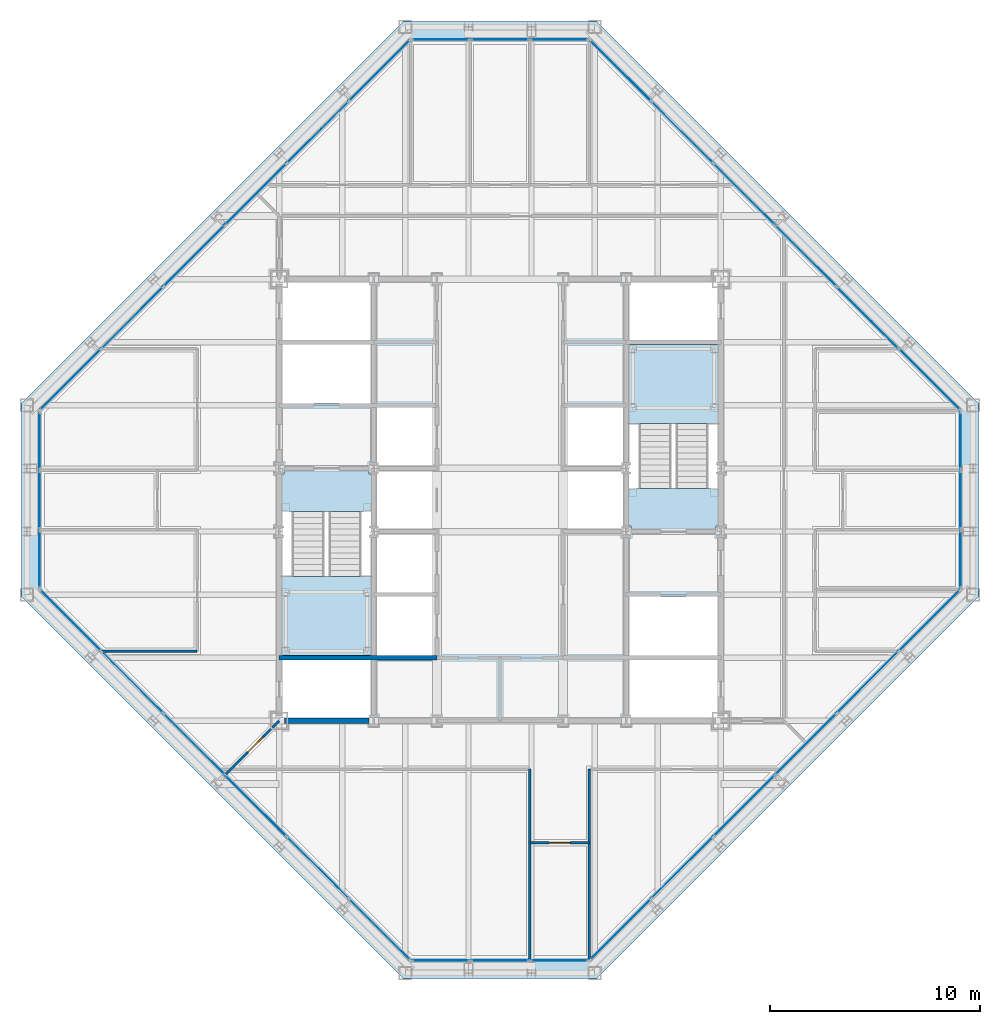
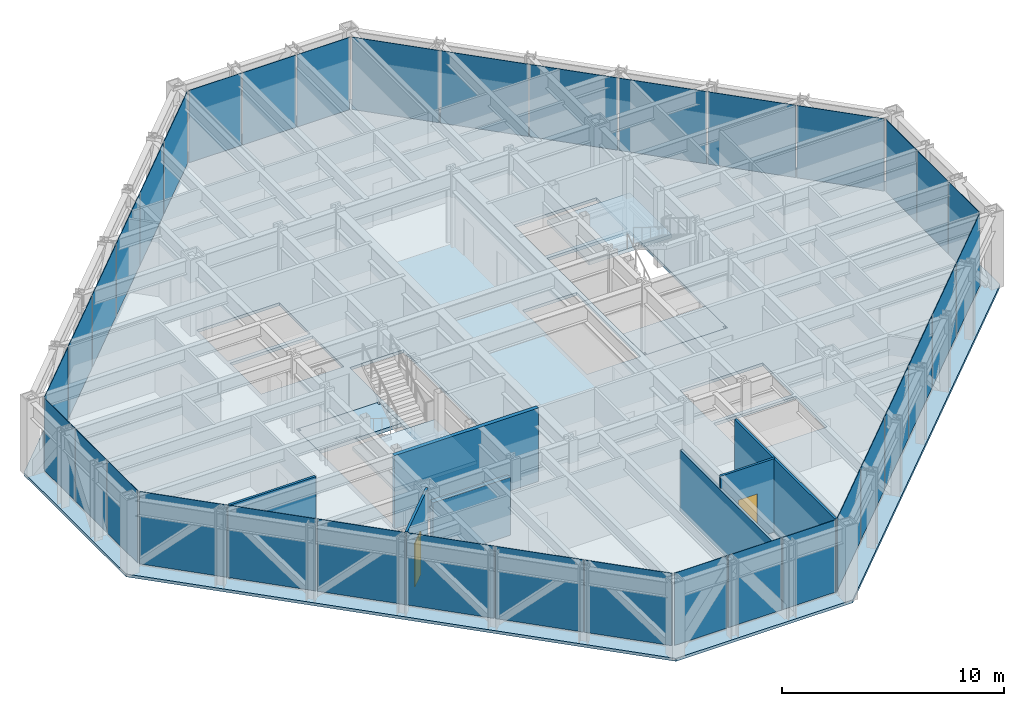
# One storey, part 9 of 15: 36 plates, 7 walls, 5 slabs, 2 doors, 2 openings, 10 elements without a shape of their own.
"""IFC4 building model written with IfcOpenShell, lengths in metres."""

from ifc_helpers import new_model, si_unit, direction, frame, frame_2d, origin, origin_2d, place, context, subcontext, project, spatial, polyline, rectangle, outline, extrude, material, layer, layer_set, type_object, element, fill, aggregate, save


model = new_model("IFC4")

# Units and contexts
model_context = context("Model", 3, precision=1e-05, world=origin(), true_north=direction((0.0, 1.0)))
body_context = subcontext(model_context, "Body", "Model", "MODEL_VIEW")
ifc_project = project(units=[si_unit("LENGTHUNIT", "METRE"), si_unit("AREAUNIT", "SQUARE_METRE"), si_unit("VOLUMEUNIT", "CUBIC_METRE"), si_unit("PLANEANGLEUNIT", "RADIAN"), si_unit("MASSUNIT", "GRAM", prefix="KILO")], contexts=[model_context])

# Site, building, storey
site_placement = place(None, origin())
site = spatial("IfcSite", under=ifc_project, at=site_placement, CompositionType="ELEMENT")
building_placement = place(site_placement, origin())
building = spatial("IfcBuilding", under=site, at=building_placement, Name="Chuquiago Exchange Tower", CompositionType="ELEMENT")
storey_placement = place(building_placement, frame((0.0, 0.0, 279.0)))
storey = spatial("IfcBuildingStorey", under=building, at=storey_placement, Name="L62", CompositionType="ELEMENT", Elevation=279.0)

# Curtain wall, plate
ifc_material_1 = material(Name="Aluminium curtain wall system", Category="aluminium")
ifc_layer_1 = layer(ifc_material_1, 0.22509765625)
ifc_layer_set_1 = layer_set([ifc_layer_1], Name="CW2 office curtain wall")
curtain_wall_type_1 = type_object("IfcCurtainWallType", Name="CW2 office curtain wall", PredefinedType="NOTDEFINED", material=ifc_layer_set_1)
curtain_wall_1_placement = place(storey_placement, origin())
curtain_wall_1 = element("IfcCurtainWall", 1, at=curtain_wall_1_placement, inside=storey, type_object=curtain_wall_type_1, Name="CW2 curtain wall L62", PredefinedType="NOTDEFINED")
ifc_material_2 = material(Name="Glass, insulating unit", Category="glass")
ifc_layer_2 = layer(ifc_material_2, 0.030029296875)
ifc_layer_set_2 = layer_set([ifc_layer_2], Name="CW2-P panel 30")
plate_type_1 = type_object("IfcPlateType", Name="CW2-P panel 30", PredefinedType="CURTAIN_PANEL", material=ifc_layer_set_2)
plate_1_placement = place(storey_placement, frame((25.318115234375, 0.60009765625, 0.06494140625), z_axis=(0.0, 0.0, 1.0), x_axis=(1.0, 0.0, 0.0)))
plate_1 = element("IfcPlate", 2, at=plate_1_placement, type_object=plate_type_1, Name="CW2 panel 3.1", PredefinedType="CURTAIN_PANEL", context=body_context, shape_type="SweptSolid", body=[
    extrude(rectangle(XDim=2.73681640625, YDim=0.030029296875, at=origin_2d()), origin(), (0.0, 0.0, 1.0), 3.97509765625),
])

curtain_wall_2_placement = place(storey_placement, origin())
curtain_wall_2 = element("IfcCurtainWall", 3, at=curtain_wall_2_placement, inside=storey, type_object=curtain_wall_type_1, Name="CW2 curtain wall L62", PredefinedType="NOTDEFINED")
plate_2_placement = place(storey_placement, frame((44.39990234375, 25.318115234375, 0.06494140625), z_axis=(0.0, 0.0, 1.0), x_axis=(0.0, 1.0, 0.0)))
plate_2 = element("IfcPlate", 4, at=plate_2_placement, type_object=plate_type_1, Name="CW2 panel 3.1", PredefinedType="CURTAIN_PANEL", context=body_context, shape_type="SweptSolid", body=[
    extrude(rectangle(XDim=2.73681640625, YDim=0.030029296875, at=origin_2d()), origin(), (0.0, 0.0, 1.0), 3.97509765625),
])

curtain_wall_3_placement = place(storey_placement, origin())
curtain_wall_3 = element("IfcCurtainWall", 5, at=curtain_wall_3_placement, inside=storey, type_object=curtain_wall_type_1, Name="CW2 curtain wall L62", PredefinedType="NOTDEFINED")
plate_3_placement = place(storey_placement, frame((19.681884765625, 44.39990234375, 0.06494140625), z_axis=(0.0, 0.0, 1.0), x_axis=(-1.0, 0.0, 0.0)))
plate_3 = element("IfcPlate", 6, at=plate_3_placement, type_object=plate_type_1, Name="CW2 panel 3.1", PredefinedType="CURTAIN_PANEL", context=body_context, shape_type="SweptSolid", body=[
    extrude(rectangle(XDim=2.73681640625, YDim=0.030029296875, at=origin_2d()), origin(), (0.0, 0.0, 1.0), 3.97509765625),
])

curtain_wall_4_placement = place(storey_placement, origin())
curtain_wall_4 = element("IfcCurtainWall", 7, at=curtain_wall_4_placement, inside=storey, type_object=curtain_wall_type_1, Name="CW2 curtain wall L62", PredefinedType="NOTDEFINED")
plate_4_placement = place(storey_placement, frame((0.60009765625, 19.681884765625, 0.06494140625), z_axis=(0.0, 0.0, 1.0), x_axis=(0.0, -1.0, 0.0)))
plate_4 = element("IfcPlate", 8, at=plate_4_placement, type_object=plate_type_1, Name="CW2 panel 3.1", PredefinedType="CURTAIN_PANEL", context=body_context, shape_type="SweptSolid", body=[
    extrude(rectangle(XDim=2.73681640625, YDim=0.030029296875, at=origin_2d()), origin(), (0.0, 0.0, 1.0), 3.97509765625),
])

# Plate
ifc_material_3 = material(Name="Insulated spandrel panel, pale anodised aluminium", Category="aluminium")
ifc_layer_3 = layer(ifc_material_3, 0.030029296875)
ifc_layer_set_3 = layer_set([ifc_layer_3], Name="CW2-P spandrel panel 30")
plate_type_2 = type_object("IfcPlateType", Name="CW2-P spandrel panel 30", PredefinedType="CURTAIN_PANEL", material=ifc_layer_set_3)
plate_5_placement = place(storey_placement, frame((19.681884765625, 0.60009765625, 0.06494140625), z_axis=(0.0, 0.0, 1.0), x_axis=(1.0, 0.0, 0.0)))
plate_5 = element("IfcPlate", 9, at=plate_5_placement, type_object=plate_type_2, Name="CW2 panel 1.1", PredefinedType="CURTAIN_PANEL", context=body_context, shape_type="SweptSolid", body=[
    extrude(rectangle(XDim=2.73681640625, YDim=0.030029296875, at=origin_2d()), origin(), (0.0, 0.0, 1.0), 3.97509765625),
])

plate_6_placement = place(storey_placement, frame((22.5, 0.60009765625, 0.06494140625), z_axis=(0.0, 0.0, 1.0), x_axis=(1.0, 0.0, 0.0)))
plate_6 = element("IfcPlate", 10, at=plate_6_placement, type_object=plate_type_2, Name="CW2 panel 2.1", PredefinedType="CURTAIN_PANEL", context=body_context, shape_type="SweptSolid", body=[
    extrude(rectangle(XDim=2.769287109375, YDim=0.030029296875, at=origin_2d()), origin(), (0.0, 0.0, 1.0), 3.97509765625),
])

aggregate(curtain_wall_1, [plate_5, plate_6, plate_1])

plate_7_placement = place(storey_placement, frame((44.39990234375, 19.681884765625, 0.06494140625), z_axis=(0.0, 0.0, 1.0), x_axis=(0.0, 1.0, 0.0)))
plate_7 = element("IfcPlate", 11, at=plate_7_placement, type_object=plate_type_2, Name="CW2 panel 1.1", PredefinedType="CURTAIN_PANEL", context=body_context, shape_type="SweptSolid", body=[
    extrude(rectangle(XDim=2.73681640625, YDim=0.030029296875, at=origin_2d()), origin(), (0.0, 0.0, 1.0), 3.97509765625),
])

plate_8_placement = place(storey_placement, frame((44.39990234375, 22.5, 0.06494140625), z_axis=(0.0, 0.0, 1.0), x_axis=(0.0, 1.0, 0.0)))
plate_8 = element("IfcPlate", 12, at=plate_8_placement, type_object=plate_type_2, Name="CW2 panel 2.1", PredefinedType="CURTAIN_PANEL", context=body_context, shape_type="SweptSolid", body=[
    extrude(rectangle(XDim=2.769287109375, YDim=0.030029296875, at=origin_2d()), origin(), (0.0, 0.0, 1.0), 3.97509765625),
])

aggregate(curtain_wall_2, [plate_7, plate_8, plate_2])

plate_9_placement = place(storey_placement, frame((25.318115234375, 44.39990234375, 0.06494140625), z_axis=(0.0, 0.0, 1.0), x_axis=(-1.0, 0.0, 0.0)))
plate_9 = element("IfcPlate", 13, at=plate_9_placement, type_object=plate_type_2, Name="CW2 panel 1.1", PredefinedType="CURTAIN_PANEL", context=body_context, shape_type="SweptSolid", body=[
    extrude(rectangle(XDim=2.73681640625, YDim=0.030029296875, at=origin_2d()), origin(), (0.0, 0.0, 1.0), 3.97509765625),
])

plate_10_placement = place(storey_placement, frame((22.5, 44.39990234375, 0.06494140625), z_axis=(0.0, 0.0, 1.0), x_axis=(-1.0, 0.0, 0.0)))
plate_10 = element("IfcPlate", 14, at=plate_10_placement, type_object=plate_type_2, Name="CW2 panel 2.1", PredefinedType="CURTAIN_PANEL", context=body_context, shape_type="SweptSolid", body=[
    extrude(rectangle(XDim=2.769287109375, YDim=0.030029296875, at=origin_2d()), origin(), (0.0, 0.0, 1.0), 3.97509765625),
])

aggregate(curtain_wall_3, [plate_9, plate_10, plate_3])

plate_11_placement = place(storey_placement, frame((0.60009765625, 25.318115234375, 0.06494140625), z_axis=(0.0, 0.0, 1.0), x_axis=(0.0, -1.0, 0.0)))
plate_11 = element("IfcPlate", 15, at=plate_11_placement, type_object=plate_type_2, Name="CW2 panel 1.1", PredefinedType="CURTAIN_PANEL", context=body_context, shape_type="SweptSolid", body=[
    extrude(rectangle(XDim=2.73681640625, YDim=0.030029296875, at=origin_2d()), origin(), (0.0, 0.0, 1.0), 3.97509765625),
])

plate_12_placement = place(storey_placement, frame((0.60009765625, 22.5, 0.06494140625), z_axis=(0.0, 0.0, 1.0), x_axis=(0.0, -1.0, 0.0)))
plate_12 = element("IfcPlate", 16, at=plate_12_placement, type_object=plate_type_2, Name="CW2 panel 2.1", PredefinedType="CURTAIN_PANEL", context=body_context, shape_type="SweptSolid", body=[
    extrude(rectangle(XDim=2.769287109375, YDim=0.030029296875, at=origin_2d()), origin(), (0.0, 0.0, 1.0), 3.97509765625),
])

aggregate(curtain_wall_4, [plate_11, plate_12, plate_4])

# Curtain wall, plates
ifc_material_4 = material(Name="Aluminium curtain wall system", Category="aluminium")
ifc_layer_4 = layer(ifc_material_4, 0.199951171875)
ifc_layer_set_4 = layer_set([ifc_layer_4], Name="CW3 facet curtain wall")
curtain_wall_type_2 = type_object("IfcCurtainWallType", Name="CW3 facet curtain wall", PredefinedType="NOTDEFINED", material=ifc_layer_set_4)
curtain_wall_5_placement = place(storey_placement, origin())
curtain_wall_5 = element("IfcCurtainWall", 17, at=curtain_wall_5_placement, inside=storey, type_object=curtain_wall_type_2, Name="CW3 curtain wall L62", PredefinedType="NOTDEFINED")
ifc_material_5 = material(Name="Insulated spandrel panel, pale anodised aluminium", Category="aluminium")
ifc_layer_5 = layer(ifc_material_5, 0.030029296875)
ifc_layer_set_5 = layer_set([ifc_layer_5], Name="CW3-P spandrel panel 30")
plate_type_3 = type_object("IfcPlateType", Name="CW3-P spandrel panel 30", PredefinedType="CURTAIN_PANEL", material=ifc_layer_set_5)
plate_13_placement = place(storey_placement, frame((28.233642578125, 2.082275390625, 0.06494140625), z_axis=(0.0, 0.0, 1.0), x_axis=(0.707106781187, 0.707106781187, 0.0)))
plate_13 = element("IfcPlate", 18, at=plate_13_placement, type_object=plate_type_3, Name="CW3 panel 1.1", PredefinedType="CURTAIN_PANEL", context=body_context, shape_type="SweptSolid", body=[
    extrude(rectangle(XDim=4.062255859375, YDim=0.030029296875, at=origin_2d()), origin(), (0.0, 0.0, 1.0), 3.97509765625),
])
plate_14_placement = place(storey_placement, frame((31.16357421875, 5.01220703125, 0.06494140625), z_axis=(0.0, 0.0, 1.0), x_axis=(0.707106781187, 0.707106781187, 0.0)))
plate_14 = element("IfcPlate", 19, at=plate_14_placement, type_object=plate_type_3, Name="CW3 panel 2.1", PredefinedType="CURTAIN_PANEL", context=body_context, shape_type="SweptSolid", body=[
    extrude(rectangle(XDim=4.0947265625, YDim=0.030029296875, at=origin_2d()), origin(), (0.0, 0.0, 1.0), 3.97509765625),
])
plate_15_placement = place(storey_placement, frame((34.10498046875, 7.95361328125, 0.06494140625), z_axis=(0.0, 0.0, 1.0), x_axis=(0.707106781187, 0.707106781187, 0.0)))
plate_15 = element("IfcPlate", 20, at=plate_15_placement, type_object=plate_type_3, Name="CW3 panel 3.1", PredefinedType="CURTAIN_PANEL", context=body_context, shape_type="SweptSolid", body=[
    extrude(rectangle(XDim=4.0947265625, YDim=0.030029296875, at=origin_2d()), origin(), (0.0, 0.0, 1.0), 3.97509765625),
])
plate_16_placement = place(storey_placement, frame((37.04638671875, 10.89501953125, 0.06494140625), z_axis=(0.0, 0.0, 1.0), x_axis=(0.707106781187, 0.707106781187, 0.0)))
plate_16 = element("IfcPlate", 21, at=plate_16_placement, type_object=plate_type_3, Name="CW3 panel 4.1", PredefinedType="CURTAIN_PANEL", context=body_context, shape_type="SweptSolid", body=[
    extrude(rectangle(XDim=4.0947265625, YDim=0.030029296875, at=origin_2d()), origin(), (0.0, 0.0, 1.0), 3.97509765625),
])
plate_17_placement = place(storey_placement, frame((39.98779296875, 13.83642578125, 0.06494140625), z_axis=(0.0, 0.0, 1.0), x_axis=(0.707106781187, 0.707106781187, 0.0)))
plate_17 = element("IfcPlate", 22, at=plate_17_placement, type_object=plate_type_3, Name="CW3 panel 5.1", PredefinedType="CURTAIN_PANEL", context=body_context, shape_type="SweptSolid", body=[
    extrude(rectangle(XDim=4.0947265625, YDim=0.030029296875, at=origin_2d()), origin(), (0.0, 0.0, 1.0), 3.97509765625),
])
plate_18_placement = place(storey_placement, frame((42.917724609375, 16.766357421875, 0.06494140625), z_axis=(0.0, 0.0, 1.0), x_axis=(0.707106781187, 0.707106781187, 0.0)))
plate_18 = element("IfcPlate", 23, at=plate_18_placement, type_object=plate_type_3, Name="CW3 panel 6.1", PredefinedType="CURTAIN_PANEL", context=body_context, shape_type="SweptSolid", body=[
    extrude(rectangle(XDim=4.062255859375, YDim=0.030029296875, at=origin_2d()), origin(), (0.0, 0.0, 1.0), 3.97509765625),
])
aggregate(curtain_wall_5, [plate_13, plate_14, plate_15, plate_16, plate_17, plate_18])

curtain_wall_6_placement = place(storey_placement, origin())
curtain_wall_6 = element("IfcCurtainWall", 24, at=curtain_wall_6_placement, inside=storey, type_object=curtain_wall_type_2, Name="CW3 curtain wall L62", PredefinedType="NOTDEFINED")
plate_19_placement = place(storey_placement, frame((42.917724609375, 28.233642578125, 0.06494140625), z_axis=(0.0, 0.0, 1.0), x_axis=(-0.707106781187, 0.707106781187, 0.0)))
plate_19 = element("IfcPlate", 25, at=plate_19_placement, type_object=plate_type_3, Name="CW3 panel 1.1", PredefinedType="CURTAIN_PANEL", context=body_context, shape_type="SweptSolid", body=[
    extrude(rectangle(XDim=4.062255859375, YDim=0.030029296875, at=origin_2d()), origin(), (0.0, 0.0, 1.0), 3.97509765625),
])
plate_20_placement = place(storey_placement, frame((39.98779296875, 31.16357421875, 0.06494140625), z_axis=(0.0, 0.0, 1.0), x_axis=(-0.707106781187, 0.707106781187, 0.0)))
plate_20 = element("IfcPlate", 26, at=plate_20_placement, type_object=plate_type_3, Name="CW3 panel 2.1", PredefinedType="CURTAIN_PANEL", context=body_context, shape_type="SweptSolid", body=[
    extrude(rectangle(XDim=4.0947265625, YDim=0.030029296875, at=origin_2d()), origin(), (0.0, 0.0, 1.0), 3.97509765625),
])
plate_21_placement = place(storey_placement, frame((37.04638671875, 34.10498046875, 0.06494140625), z_axis=(0.0, 0.0, 1.0), x_axis=(-0.707106781187, 0.707106781187, 0.0)))
plate_21 = element("IfcPlate", 27, at=plate_21_placement, type_object=plate_type_3, Name="CW3 panel 3.1", PredefinedType="CURTAIN_PANEL", context=body_context, shape_type="SweptSolid", body=[
    extrude(rectangle(XDim=4.0947265625, YDim=0.030029296875, at=origin_2d()), origin(), (0.0, 0.0, 1.0), 3.97509765625),
])
plate_22_placement = place(storey_placement, frame((34.10498046875, 37.04638671875, 0.06494140625), z_axis=(0.0, 0.0, 1.0), x_axis=(-0.707106781187, 0.707106781187, 0.0)))
plate_22 = element("IfcPlate", 28, at=plate_22_placement, type_object=plate_type_3, Name="CW3 panel 4.1", PredefinedType="CURTAIN_PANEL", context=body_context, shape_type="SweptSolid", body=[
    extrude(rectangle(XDim=4.0947265625, YDim=0.030029296875, at=origin_2d()), origin(), (0.0, 0.0, 1.0), 3.97509765625),
])
plate_23_placement = place(storey_placement, frame((31.16357421875, 39.98779296875, 0.06494140625), z_axis=(0.0, 0.0, 1.0), x_axis=(-0.707106781187, 0.707106781187, 0.0)))
plate_23 = element("IfcPlate", 29, at=plate_23_placement, type_object=plate_type_3, Name="CW3 panel 5.1", PredefinedType="CURTAIN_PANEL", context=body_context, shape_type="SweptSolid", body=[
    extrude(rectangle(XDim=4.0947265625, YDim=0.030029296875, at=origin_2d()), origin(), (0.0, 0.0, 1.0), 3.97509765625),
])
plate_24_placement = place(storey_placement, frame((28.233642578125, 42.917724609375, 0.06494140625), z_axis=(0.0, 0.0, 1.0), x_axis=(-0.707106781187, 0.707106781187, 0.0)))
plate_24 = element("IfcPlate", 30, at=plate_24_placement, type_object=plate_type_3, Name="CW3 panel 6.1", PredefinedType="CURTAIN_PANEL", context=body_context, shape_type="SweptSolid", body=[
    extrude(rectangle(XDim=4.062255859375, YDim=0.030029296875, at=origin_2d()), origin(), (0.0, 0.0, 1.0), 3.97509765625),
])
aggregate(curtain_wall_6, [plate_19, plate_20, plate_21, plate_22, plate_23, plate_24])

curtain_wall_7_placement = place(storey_placement, origin())
curtain_wall_7 = element("IfcCurtainWall", 31, at=curtain_wall_7_placement, inside=storey, type_object=curtain_wall_type_2, Name="CW3 curtain wall L62", PredefinedType="NOTDEFINED")
plate_25_placement = place(storey_placement, frame((16.766357421875, 42.917724609375, 0.06494140625), z_axis=(0.0, 0.0, 1.0), x_axis=(-0.707106781187, -0.707106781187, 0.0)))
plate_25 = element("IfcPlate", 32, at=plate_25_placement, type_object=plate_type_3, Name="CW3 panel 1.1", PredefinedType="CURTAIN_PANEL", context=body_context, shape_type="SweptSolid", body=[
    extrude(rectangle(XDim=4.062255859375, YDim=0.030029296875, at=origin_2d()), origin(), (0.0, 0.0, 1.0), 3.97509765625),
])
plate_26_placement = place(storey_placement, frame((13.83642578125, 39.98779296875, 0.06494140625), z_axis=(0.0, 0.0, 1.0), x_axis=(-0.707106781187, -0.707106781187, 0.0)))
plate_26 = element("IfcPlate", 33, at=plate_26_placement, type_object=plate_type_3, Name="CW3 panel 2.1", PredefinedType="CURTAIN_PANEL", context=body_context, shape_type="SweptSolid", body=[
    extrude(rectangle(XDim=4.0947265625, YDim=0.030029296875, at=origin_2d()), origin(), (0.0, 0.0, 1.0), 3.97509765625),
])
plate_27_placement = place(storey_placement, frame((10.89501953125, 37.04638671875, 0.06494140625), z_axis=(0.0, 0.0, 1.0), x_axis=(-0.707106781187, -0.707106781187, 0.0)))
plate_27 = element("IfcPlate", 34, at=plate_27_placement, type_object=plate_type_3, Name="CW3 panel 3.1", PredefinedType="CURTAIN_PANEL", context=body_context, shape_type="SweptSolid", body=[
    extrude(rectangle(XDim=4.0947265625, YDim=0.030029296875, at=origin_2d()), origin(), (0.0, 0.0, 1.0), 3.97509765625),
])
plate_28_placement = place(storey_placement, frame((7.95361328125, 34.10498046875, 0.06494140625), z_axis=(0.0, 0.0, 1.0), x_axis=(-0.707106781187, -0.707106781187, 0.0)))
plate_28 = element("IfcPlate", 35, at=plate_28_placement, type_object=plate_type_3, Name="CW3 panel 4.1", PredefinedType="CURTAIN_PANEL", context=body_context, shape_type="SweptSolid", body=[
    extrude(rectangle(XDim=4.0947265625, YDim=0.030029296875, at=origin_2d()), origin(), (0.0, 0.0, 1.0), 3.97509765625),
])
plate_29_placement = place(storey_placement, frame((5.01220703125, 31.16357421875, 0.06494140625), z_axis=(0.0, 0.0, 1.0), x_axis=(-0.707106781187, -0.707106781187, 0.0)))
plate_29 = element("IfcPlate", 36, at=plate_29_placement, type_object=plate_type_3, Name="CW3 panel 5.1", PredefinedType="CURTAIN_PANEL", context=body_context, shape_type="SweptSolid", body=[
    extrude(rectangle(XDim=4.0947265625, YDim=0.030029296875, at=origin_2d()), origin(), (0.0, 0.0, 1.0), 3.97509765625),
])
plate_30_placement = place(storey_placement, frame((2.082275390625, 28.233642578125, 0.06494140625), z_axis=(0.0, 0.0, 1.0), x_axis=(-0.707106781187, -0.707106781187, 0.0)))
plate_30 = element("IfcPlate", 37, at=plate_30_placement, type_object=plate_type_3, Name="CW3 panel 6.1", PredefinedType="CURTAIN_PANEL", context=body_context, shape_type="SweptSolid", body=[
    extrude(rectangle(XDim=4.062255859375, YDim=0.030029296875, at=origin_2d()), origin(), (0.0, 0.0, 1.0), 3.97509765625),
])
aggregate(curtain_wall_7, [plate_25, plate_26, plate_27, plate_28, plate_29, plate_30])

curtain_wall_8_placement = place(storey_placement, origin())
curtain_wall_8 = element("IfcCurtainWall", 38, at=curtain_wall_8_placement, inside=storey, type_object=curtain_wall_type_2, Name="CW3 curtain wall L62", PredefinedType="NOTDEFINED")
plate_31_placement = place(storey_placement, frame((2.082275390625, 16.766357421875, 0.06494140625), z_axis=(0.0, 0.0, 1.0), x_axis=(0.707106781187, -0.707106781187, 0.0)))
plate_31 = element("IfcPlate", 39, at=plate_31_placement, type_object=plate_type_3, Name="CW3 panel 1.1", PredefinedType="CURTAIN_PANEL", context=body_context, shape_type="SweptSolid", body=[
    extrude(rectangle(XDim=4.062255859375, YDim=0.030029296875, at=origin_2d()), origin(), (0.0, 0.0, 1.0), 3.97509765625),
])
plate_32_placement = place(storey_placement, frame((5.01220703125, 13.83642578125, 0.06494140625), z_axis=(0.0, 0.0, 1.0), x_axis=(0.707106781187, -0.707106781187, 0.0)))
plate_32 = element("IfcPlate", 40, at=plate_32_placement, type_object=plate_type_3, Name="CW3 panel 2.1", PredefinedType="CURTAIN_PANEL", context=body_context, shape_type="SweptSolid", body=[
    extrude(rectangle(XDim=4.0947265625, YDim=0.030029296875, at=origin_2d()), origin(), (0.0, 0.0, 1.0), 3.97509765625),
])
plate_33_placement = place(storey_placement, frame((7.95361328125, 10.89501953125, 0.06494140625), z_axis=(0.0, 0.0, 1.0), x_axis=(0.707106781187, -0.707106781187, 0.0)))
plate_33 = element("IfcPlate", 41, at=plate_33_placement, type_object=plate_type_3, Name="CW3 panel 3.1", PredefinedType="CURTAIN_PANEL", context=body_context, shape_type="SweptSolid", body=[
    extrude(rectangle(XDim=4.0947265625, YDim=0.030029296875, at=origin_2d()), origin(), (0.0, 0.0, 1.0), 3.97509765625),
])
plate_34_placement = place(storey_placement, frame((10.89501953125, 7.95361328125, 0.06494140625), z_axis=(0.0, 0.0, 1.0), x_axis=(0.707106781187, -0.707106781187, 0.0)))
plate_34 = element("IfcPlate", 42, at=plate_34_placement, type_object=plate_type_3, Name="CW3 panel 4.1", PredefinedType="CURTAIN_PANEL", context=body_context, shape_type="SweptSolid", body=[
    extrude(rectangle(XDim=4.0947265625, YDim=0.030029296875, at=origin_2d()), origin(), (0.0, 0.0, 1.0), 3.97509765625),
])
plate_35_placement = place(storey_placement, frame((13.83642578125, 5.01220703125, 0.06494140625), z_axis=(0.0, 0.0, 1.0), x_axis=(0.707106781187, -0.707106781187, 0.0)))
plate_35 = element("IfcPlate", 43, at=plate_35_placement, type_object=plate_type_3, Name="CW3 panel 5.1", PredefinedType="CURTAIN_PANEL", context=body_context, shape_type="SweptSolid", body=[
    extrude(rectangle(XDim=4.0947265625, YDim=0.030029296875, at=origin_2d()), origin(), (0.0, 0.0, 1.0), 3.97509765625),
])
plate_36_placement = place(storey_placement, frame((16.766357421875, 2.082275390625, 0.06494140625), z_axis=(0.0, 0.0, 1.0), x_axis=(0.707106781187, -0.707106781187, 0.0)))
plate_36 = element("IfcPlate", 44, at=plate_36_placement, type_object=plate_type_3, Name="CW3 panel 6.1", PredefinedType="CURTAIN_PANEL", context=body_context, shape_type="SweptSolid", body=[
    extrude(rectangle(XDim=4.062255859375, YDim=0.030029296875, at=origin_2d()), origin(), (0.0, 0.0, 1.0), 3.97509765625),
])
aggregate(curtain_wall_8, [plate_31, plate_32, plate_33, plate_34, plate_35, plate_36])

# Slab
ifc_material_6 = material(Name="Concrete C30/37", Category="concrete")
ifc_layer_6 = layer(ifc_material_6, 0.159912109375)
ifc_layer_set_6 = layer_set([ifc_layer_6], Name="FS1 composite floor 160")
slab_type_1 = type_object("IfcSlabType", Name="FS1 composite floor 160", PredefinedType="FLOOR", material=ifc_layer_set_6)
slab_1_placement = place(storey_placement, frame((0.0, 0.0, -0.159912109375)))
element("IfcSlab", 45, at=slab_1_placement, inside=storey, type_object=slab_type_1, Name="L62 floor slab", PredefinedType="FLOOR", context=body_context, shape_type="SweptSolid", body=[
    extrude(outline(polyline([(17.896484375, -0.25), (-0.25, 17.896484375), (-0.25, 27.103515625), (17.896484375, 45.25), (27.103515625, 45.25), (45.25, 27.103515625), (45.25, 17.896484375), (27.103515625, -0.25), (17.896484375, -0.25)]), holes=[polyline([(16.39990234375, 15.10009765625), (12.10009765625, 15.10009765625), (12.10009765625, 23.89990234375), (16.39990234375, 23.89990234375), (16.39990234375, 15.10009765625)]), polyline([(32.89990234375, 21.10009765625), (28.60009765625, 21.10009765625), (28.60009765625, 29.89990234375), (32.89990234375, 29.89990234375), (32.89990234375, 21.10009765625)]), polyline([(16.39990234375, 12.10009765625), (12.10009765625, 12.10009765625), (12.10009765625, 14.89990234375), (16.39990234375, 14.89990234375), (16.39990234375, 12.10009765625)]), polyline([(16.39990234375, 30.10009765625), (12.10009765625, 30.10009765625), (12.10009765625, 32.89990234375), (16.39990234375, 32.89990234375), (16.39990234375, 30.10009765625)]), polyline([(32.89990234375, 12.10009765625), (28.60009765625, 12.10009765625), (28.60009765625, 14.89990234375), (32.89990234375, 14.89990234375), (32.89990234375, 12.10009765625)]), polyline([(32.89990234375, 30.10009765625), (28.60009765625, 30.10009765625), (28.60009765625, 32.89990234375), (32.89990234375, 32.89990234375), (32.89990234375, 30.10009765625)]), polyline([(16.39990234375, 27.10009765625), (12.10009765625, 27.10009765625), (12.10009765625, 29.89990234375), (16.39990234375, 29.89990234375), (16.39990234375, 27.10009765625)]), polyline([(32.89990234375, 15.10009765625), (28.60009765625, 15.10009765625), (28.60009765625, 17.89990234375), (32.89990234375, 17.89990234375), (32.89990234375, 15.10009765625)]), polyline([(19.39990234375, 15.10009765625), (16.60009765625, 15.10009765625), (16.60009765625, 26.89990234375), (19.39990234375, 26.89990234375), (19.39990234375, 15.10009765625)]), polyline([(28.39990234375, 21.10009765625), (25.60009765625, 21.10009765625), (25.60009765625, 26.89990234375), (28.39990234375, 26.89990234375), (28.39990234375, 21.10009765625)])]), origin(), (0.0, 0.0, 1.0), 0.159912109375),
])

# Stair, slabs
ifc_material_7 = material(Name="Concrete C30/37, precast", Category="concrete")
stair_type_1 = type_object("IfcStairType", Name="ST1 half-turn stair 4200", PredefinedType="HALF_TURN_STAIR", material=ifc_material_7)
stair_1_placement = place(storey_placement, origin())
stair_1 = element("IfcStair", 46, at=stair_1_placement, inside=storey, type_object=stair_type_1, Name="Stair ST1 L62", PredefinedType="HALF_TURN_STAIR")
ifc_material_8 = material(Name="Concrete C30/37, precast", Category="concrete")
ifc_layer_7 = layer(ifc_material_8, 0.199951171875)
ifc_layer_set_7 = layer_set([ifc_layer_7], Name="ST-L landing 200")
slab_type_2 = type_object("IfcSlabType", Name="ST-L landing 200", PredefinedType="LANDING", material=ifc_layer_set_7)
slab_2_placement = place(storey_placement, frame((0.0, 0.0, -0.199951171875)))
slab_2 = element("IfcSlab", 47, at=slab_2_placement, type_object=slab_type_2, Name="ST1 landing 1", PredefinedType="LANDING", context=body_context, shape_type="SweptSolid", body=[
    extrude(outline(polyline([(12.224853515625, 23.89990234375), (16.275146484375, 23.89990234375), (16.275146484375, 23.7255859375), (16.39990234375, 23.7255859375), (16.39990234375, 21.949951171875), (12.10009765625, 21.949951171875), (12.10009765625, 23.7255859375), (12.224853515625, 23.7255859375), (12.224853515625, 23.89990234375)])), origin(), (0.0, 0.0, 1.0), 0.199951171875),
])
slab_3_placement = place(storey_placement, frame((0.0, 0.0, 1.89990234375)))
slab_3 = element("IfcSlab", 48, at=slab_3_placement, type_object=slab_type_2, Name="ST1 landing 2", PredefinedType="LANDING", context=body_context, shape_type="SweptSolid", body=[
    extrude(outline(polyline([(12.10009765625, 18.8701171875), (16.39990234375, 18.8701171875), (16.39990234375, 15.10009765625), (12.10009765625, 15.10009765625), (12.10009765625, 18.8701171875)])), origin(), (0.0, 0.0, 1.0), 0.2001953125),
])
aggregate(stair_1, [slab_2, slab_3])

ifc_material_9 = material(Name="Concrete C30/37, precast", Category="concrete")
stair_type_2 = type_object("IfcStairType", Name="ST2 half-turn stair 4200", PredefinedType="HALF_TURN_STAIR", material=ifc_material_9)
stair_2_placement = place(storey_placement, origin())
stair_2 = element("IfcStair", 49, at=stair_2_placement, inside=storey, type_object=stair_type_2, Name="Stair ST2 L62", PredefinedType="HALF_TURN_STAIR")
slab_4_placement = place(storey_placement, frame((0.0, 0.0, -0.199951171875)))
slab_4 = element("IfcSlab", 50, at=slab_4_placement, type_object=slab_type_2, Name="ST2 landing 1", PredefinedType="LANDING", context=body_context, shape_type="SweptSolid", body=[
    extrude(outline(polyline([(32.775146484375, 21.2744140625), (32.775146484375, 21.10009765625), (28.724853515625, 21.10009765625), (28.724853515625, 21.2744140625), (28.60009765625, 21.2744140625), (28.60009765625, 23.050048828125), (32.89990234375, 23.050048828125), (32.89990234375, 21.2744140625), (32.775146484375, 21.2744140625)])), origin(), (0.0, 0.0, 1.0), 0.199951171875),
])
slab_5_placement = place(storey_placement, frame((0.0, 0.0, 1.89990234375)))
slab_5 = element("IfcSlab", 51, at=slab_5_placement, type_object=slab_type_2, Name="ST2 landing 2", PredefinedType="LANDING", context=body_context, shape_type="SweptSolid", body=[
    extrude(outline(polyline([(28.60009765625, 29.89990234375), (32.89990234375, 29.89990234375), (32.89990234375, 26.1298828125), (28.60009765625, 26.1298828125), (28.60009765625, 29.89990234375)])), origin(), (0.0, 0.0, 1.0), 0.2001953125),
])
aggregate(stair_2, [slab_4, slab_5])

# Walls
ifc_material_10 = material(Name="Concrete masonry, fully grouted", Category="masonry")
ifc_layer_8 = layer(ifc_material_10, 0.25)
ifc_layer_set_8 = layer_set([ifc_layer_8], Name="W1 core wall 250")
wall_type_1 = type_object("IfcWallType", Name="W1 core wall 250", PredefinedType="SOLIDWALL", material=ifc_layer_set_8)
wall_1_placement = place(storey_placement, frame((12.25, 12.0, 0.0), z_axis=(0.0, 0.0, 1.0), x_axis=(1.0, 0.0, 0.0)))
element("IfcWall", 52, at=wall_1_placement, inside=storey, type_object=wall_type_1, Name="CW-L62-01-0", PredefinedType="SOLIDWALL", context=body_context, shape_type="SweptSolid", body=[
    extrude(rectangle(XDim=4.025146484375, YDim=0.25, at=frame_2d((2.0126953125, 0.0))), origin(), (0.0, 0.0, 1.0), 3.181396484375),
])
ifc_material_11 = material(Name="Concrete masonry, fully grouted", Category="masonry")
ifc_layer_9 = layer(ifc_material_11, 0.199951171875)
ifc_layer_set_9 = layer_set([ifc_layer_9], Name="W2 shaft wall 200")
wall_type_2 = type_object("IfcWallType", Name="W2 shaft wall 200", PredefinedType="SOLIDWALL", material=ifc_layer_set_9)
wall_2_placement = place(storey_placement, frame((12.0, 15.0, 0.0), z_axis=(0.0, 0.0, 1.0), x_axis=(1.0, 0.0, 0.0)))
element("IfcWall", 53, at=wall_2_placement, inside=storey, type_object=wall_type_2, Name="CW-L62-03-0", PredefinedType="SOLIDWALL", context=body_context, shape_type="SweptSolid", body=[
    extrude(rectangle(XDim=7.5, YDim=0.199951171875, at=frame_2d((3.75, 0.0))), origin(), (0.0, 0.0, 1.0), 4.0400390625),
])
ifc_material_12 = material(Name="Gypsum board on steel studs", Category="steel")
ifc_layer_10 = layer(ifc_material_12, 0.1201171875)
ifc_layer_set_10 = layer_set([ifc_layer_10], Name="W4 partition 120")
wall_type_3 = type_object("IfcWallType", Name="W4 partition 120", PredefinedType="PARTITIONING", material=ifc_layer_set_10)
wall_3_placement = place(storey_placement, frame((23.917236328125, 0.652587890625, 0.0), z_axis=(0.0, 0.0, 1.0), x_axis=(0.0, 1.0, 0.0)))
element("IfcWall", 54, at=wall_3_placement, inside=storey, type_object=wall_type_3, Name="PW-L62-S02392", PredefinedType="PARTITIONING", context=body_context, shape_type="SweptSolid", body=[
    extrude(rectangle(XDim=9.04736328125, YDim=0.1201171875, at=frame_2d((4.523681640625, 0.0))), origin(), (0.0, 0.0, 1.0), 3.356689453125),
])
wall_4_placement = place(storey_placement, frame((26.75146484375, 0.666015625, 0.0), z_axis=(0.0, 0.0, 1.0), x_axis=(0.0, 1.0, 0.0)))
element("IfcWall", 55, at=wall_4_placement, inside=storey, type_object=wall_type_3, Name="PW-L62-S02675", PredefinedType="PARTITIONING", context=body_context, shape_type="SweptSolid", body=[
    extrude(rectangle(XDim=9.033935546875, YDim=0.1201171875, at=frame_2d((4.51708984375, 0.0))), origin(), (0.0, 0.0, 1.0), 4.0400390625),
])

# Wall, opening, door
wall_5_placement = place(storey_placement, frame((23.917236328125, 6.199951171875, 0.0), z_axis=(0.0, 0.0, 1.0), x_axis=(1.0, 0.0, 0.0)))
wall_5 = element("IfcWall", 56, at=wall_5_placement, inside=storey, type_object=wall_type_3, Name="PW-L62-SF02392", PredefinedType="PARTITIONING", context=body_context, shape_type="SweptSolid", body=[
    extrude(rectangle(XDim=2.834228515625, YDim=0.1201171875, at=frame_2d((1.4169921875, 0.0))), origin(), (0.0, 0.0, 1.0), 4.0400390625),
])
opening_1_placement = place(wall_5_placement, frame((0.9169921875, 0.0, 0.0)))
opening_1 = element("IfcOpeningElement", 57, at=opening_1_placement, cuts=wall_5, Name="Opening L62-023", PredefinedType="OPENING", context=body_context, shape_type="SweptSolid", body=[
    extrude(rectangle(XDim=1.0, YDim=2.39990234375, at=frame_2d((0.5, 1.199951171875))), frame((0.0, 0.070068359375, 0.0), z_axis=(0.0, -1.0, 0.0), x_axis=(1.0, 0.0, 0.0)), (0.0, 0.0, 1.0), 0.14013671875),
])
ifc_material_13 = material(Name="Timber frame door, full height glazed panel", Category="wood")
door_type_1 = type_object("IfcDoorType", Name="D14 glazed meeting room door 1000x2400", OperationType="SINGLE_SWING_LEFT", PredefinedType="DOOR", material=ifc_material_13)
door_1_placement = place(opening_1_placement, frame((1.0, 0.0, 0.0), z_axis=(0.0, 0.0, 1.0), x_axis=(-1.0, 0.0, 0.0)))
door_1 = element("IfcDoor", 58, at=door_1_placement, inside=storey, type_object=door_type_1, Name="Focus room door", OperationType="SINGLE_SWING_RIGHT", OverallHeight=2.39990234375, OverallWidth=1.0, PredefinedType="DOOR", context=body_context, shape_type="SweptSolid", body=[
    extrude(rectangle(XDim=1.0, YDim=2.39990234375, at=frame_2d((0.5, 1.199951171875))), frame((0.0, 0.02490234375, 0.0), z_axis=(0.0, -1.0, 0.0), x_axis=(1.0, 0.0, 0.0)), (0.0, 0.0, 1.0), 0.050048828125),
])
fill(opening_1, door_1)

# Wall
wall_6_placement = place(storey_placement, frame((3.607421875, 15.30712890625, 0.0), z_axis=(0.0, 0.0, 1.0), x_axis=(1.0, 0.0, 0.0)))
element("IfcWall", 59, at=wall_6_placement, inside=storey, type_object=wall_type_3, Name="PW-L62-W01531", PredefinedType="PARTITIONING", context=body_context, shape_type="SweptSolid", body=[
    extrude(rectangle(XDim=4.49267578125, YDim=0.1201171875, at=frame_2d((2.246337890625, 0.0))), origin(), (0.0, 0.0, 1.0), 4.0400390625),
])

# Wall, opening, door
wall_7_placement = place(storey_placement, frame((12.0, 12.0, 0.0), z_axis=(0.0, 0.0, 1.0), x_axis=(-0.707106781187, -0.707106781187, 0.0)))
wall_7 = element("IfcWall", 60, at=wall_7_placement, inside=storey, type_object=wall_type_3, Name="PW-L62-QSW", PredefinedType="PARTITIONING", context=body_context, shape_type="SweptSolid", body=[
    extrude(rectangle(XDim=3.590087890625, YDim=0.1201171875, at=frame_2d((1.794921875, 0.0))), origin(), (0.0, 0.0, 1.0), 4.0400390625),
])
opening_2_placement = place(wall_7_placement, frame((1.10009765625, 0.0, 0.0)))
opening_2 = element("IfcOpeningElement", 61, at=opening_2_placement, cuts=wall_7, Name="Opening L62-042", PredefinedType="OPENING", context=body_context, shape_type="SweptSolid", body=[
    extrude(rectangle(XDim=1.0, YDim=2.39990234375, at=frame_2d((0.5, 1.199951171875))), frame((0.0, 0.070068359375, 0.0), z_axis=(0.0, -1.0, 0.0), x_axis=(1.0, 0.0, 0.0)), (0.0, 0.0, 1.0), 0.14013671875),
])
ifc_material_14 = material(Name="Timber door, laminate faced", Category="wood")
door_type_2 = type_object("IfcDoorType", Name="D9 room door 1000x2400", OperationType="SINGLE_SWING_LEFT", PredefinedType="DOOR", material=ifc_material_14)
door_2_placement = place(opening_2_placement, origin())
door_2 = element("IfcDoor", 62, at=door_2_placement, inside=storey, type_object=door_type_2, Name="Team area door", OperationType="SINGLE_SWING_LEFT", OverallHeight=2.39990234375, OverallWidth=1.0, PredefinedType="DOOR", context=body_context, shape_type="SweptSolid", body=[
    extrude(rectangle(XDim=1.0, YDim=2.39990234375, at=frame_2d((0.5, 1.199951171875))), frame((0.0, 0.02490234375, 0.0), z_axis=(0.0, -1.0, 0.0), x_axis=(1.0, 0.0, 0.0)), (0.0, 0.0, 1.0), 0.050048828125),
])
fill(opening_2, door_2)

save(model, "model.ifc")
